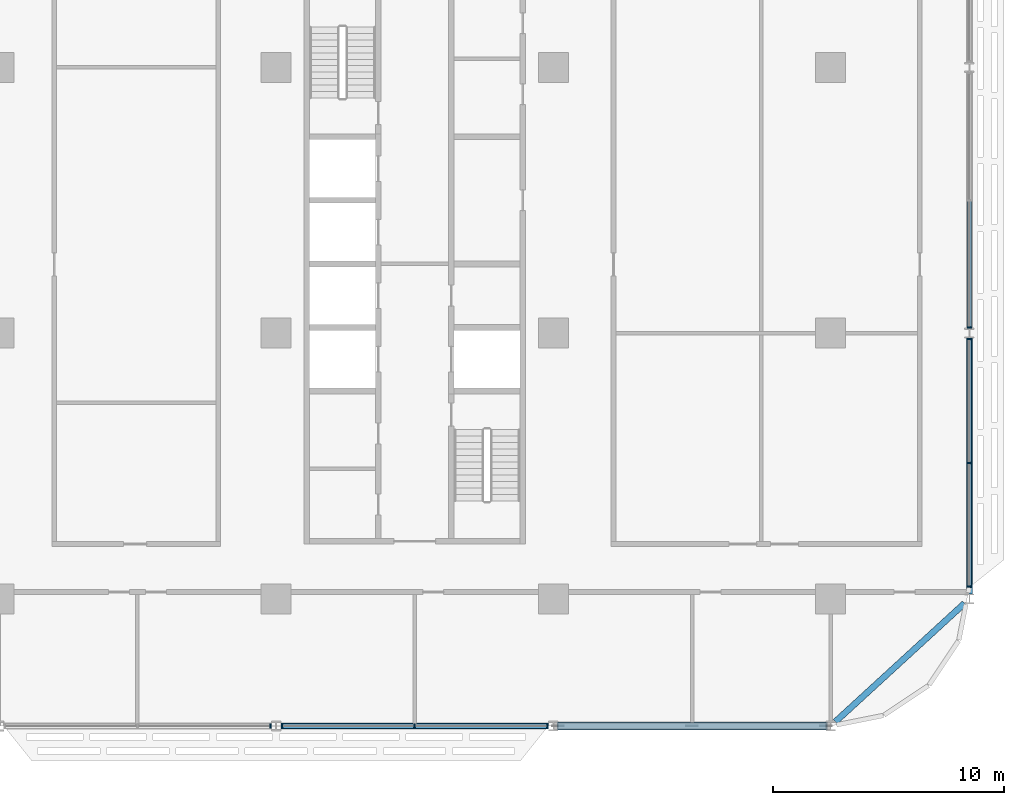
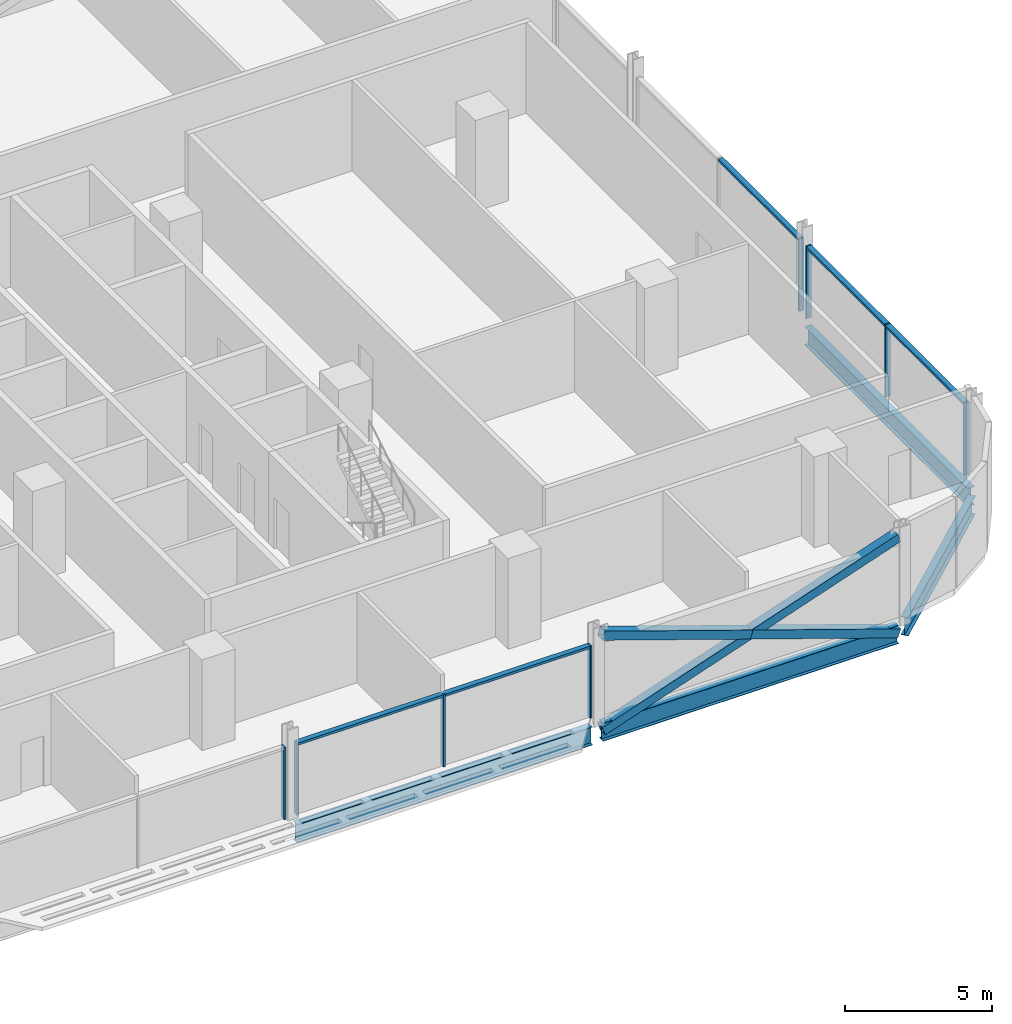
# One storey, part 8 of 28: 16 members, 4 beams, 4 elements without a shape of their own.
"""IFC4 building model written with IfcOpenShell, lengths in metres."""

import ifcopenshell
import ifcopenshell.guid

model = None  # the IFC model being written
_history = None  # IfcOwnerHistory: only IFC2X3 demands one
_inside = {}  # id of a spatial element -> (the spatial element, [elements in it])
_under = {}  # id of a project, library or spatial element -> (it, [spatial elements below it])
_declared = {}  # id of a project -> (the project, [libraries it declares])
_typed = {}  # id of a type object -> (the type object, [elements of that type])
_made_of = {}  # id of a material, layer set ... -> (it, [elements and type objects made of it])


def new_model(schema):
    """Start an empty IFC model of exactly this schema.

    Asked for "IFC4X3", IfcOpenShell would pick the latest addendum, in which some entities
    have other attributes; the version numbers below select the first issue.
    IFC2X3 requires an IfcOwnerHistory on every rooted entity: one is made here for all.
    """
    global model, _history
    if schema == "IFC4X3":
        model = ifcopenshell.file(schema_version=(4, 3, 0, 0))
    else:
        model = ifcopenshell.file(schema=schema)
    _inside.clear()
    _under.clear()
    _declared.clear()
    _typed.clear()
    _made_of.clear()
    _history = None
    if model.schema == "IFC2X3":
        org = make("IfcOrganization", Name="unknown")
        user = make(
            "IfcPersonAndOrganization",
            ThePerson=make("IfcPerson", FamilyName="unknown"),
            TheOrganization=org,
        )
        app = make(
            "IfcApplication",
            ApplicationDeveloper=org,
            Version="unknown",
            ApplicationFullName="unknown",
            ApplicationIdentifier="unknown",
        )
        _history = make(
            "IfcOwnerHistory",
            OwningUser=user,
            OwningApplication=app,
            ChangeAction="ADDED",
            CreationDate=0,
        )
    return model


def make(cls, **values):
    """One entity of the class cls with the attributes given. An attribute that is None is left unset."""
    return model.create_entity(
        cls, **{name: value for name, value in values.items() if value is not None}
    )


def rooted(cls, **values):
    """An entity with a GlobalId (a new one), such as an element, a storey or a relation."""
    return make(cls, GlobalId=ifcopenshell.guid.new(), OwnerHistory=_history, **values)


def si_unit(unit_type, name, prefix=None):
    """IfcSIUnit, for example si_unit("LENGTHUNIT", "METRE", prefix="MILLI")."""
    return make("IfcSIUnit", UnitType=unit_type, Prefix=prefix, Name=name)


def assignment(units):
    """IfcUnitAssignment: the units of a project."""
    return None if units is None else make("IfcUnitAssignment", Units=units)


def point(xyz):
    """IfcCartesianPoint."""
    return None if xyz is None else make("IfcCartesianPoint", Coordinates=xyz)


def direction(xyz):
    """IfcDirection."""
    return None if xyz is None else make("IfcDirection", DirectionRatios=xyz)


def frame(location, z_axis=None, x_axis=None):
    """IfcAxis2Placement3D, a coordinate frame: its origin and axes. An axis left out is left unset."""
    return make(
        "IfcAxis2Placement3D",
        Location=point(location),
        Axis=direction(z_axis),
        RefDirection=direction(x_axis),
    )


def frame_2d(location, x_axis=None):
    """IfcAxis2Placement2D, a coordinate frame in the plane: its origin and x axis."""
    return make(
        "IfcAxis2Placement2D", Location=point(location), RefDirection=direction(x_axis)
    )


def origin():
    """The frame at (0, 0, 0) with its axes left unset."""
    return frame((0.0, 0.0, 0.0))


def origin_2d():
    """The frame at (0, 0) in the plane with its x axis left unset."""
    return frame_2d((0.0, 0.0))


def place(relative_to, where):
    """IfcLocalPlacement: puts the frame where relative to a parent placement (None: the world)."""
    return make(
        "IfcLocalPlacement", PlacementRelTo=relative_to, RelativePlacement=where
    )


def context(
    kind, dimensions, precision=None, world=None, true_north=None, identifier=None
):
    """IfcGeometricRepresentationContext, for example the 3D "Model" context."""
    return make(
        "IfcGeometricRepresentationContext",
        ContextIdentifier=identifier,
        ContextType=kind,
        CoordinateSpaceDimension=dimensions,
        Precision=precision,
        WorldCoordinateSystem=world,
        TrueNorth=true_north,
    )


def subcontext(parent, identifier, kind, view, scale=None):
    """IfcGeometricRepresentationSubContext, for example "Body" below "Model"."""
    return make(
        "IfcGeometricRepresentationSubContext",
        ContextIdentifier=identifier,
        ContextType=kind,
        ParentContext=parent,
        TargetScale=scale,
        TargetView=view,
    )


def project(units=None, contexts=None):
    """IfcProject with its units and contexts."""
    return rooted(
        "IfcProject",
        Name="project",
        RepresentationContexts=contexts,
        UnitsInContext=assignment(units),
    )


def spatial(cls, under=None, at=None, **own):
    """A site, building, storey or space (cls), placed at a placement, below another one or the project."""
    s = rooted(cls, ObjectPlacement=at, **own)
    if under is not None:
        _under.setdefault(under.id(), (under, []))[1].append(s)
    return s


def profile(cls, at=None, kind="AREA", **sizes):
    """A parametric profile (cls). Its sizes go by their IFC names, for example OverallWidth=200.0."""
    return make(cls, ProfileType=kind, Position=at, **sizes)


def rectangle(**sizes):
    """IfcRectangleProfileDef."""
    return profile("IfcRectangleProfileDef", **sizes)


def hollow_rectangle(**sizes):
    """IfcRectangleHollowProfileDef."""
    return profile("IfcRectangleHollowProfileDef", **sizes)


def i_section(**sizes):
    """IfcIShapeProfileDef."""
    return profile("IfcIShapeProfileDef", **sizes)


def extrude(swept, where, along, depth):
    """IfcExtrudedAreaSolid: the profile swept, set in the frame where, extruded along a direction by depth."""
    return make(
        "IfcExtrudedAreaSolid",
        SweptArea=swept,
        Position=where,
        ExtrudedDirection=direction(along),
        Depth=depth,
    )


def shape(context_of_items, identifier, shape_type, items):
    """IfcShapeRepresentation: the items that make up one representation, for example the "Body"."""
    return make(
        "IfcShapeRepresentation",
        ContextOfItems=context_of_items,
        RepresentationIdentifier=identifier,
        RepresentationType=shape_type,
        Items=items,
    )


def material(Name=None, Category=None):
    """IfcMaterial."""
    return make("IfcMaterial", Name=Name, Category=Category)


def material_profile(
    of_material, cross_section, Name=None, Category=None, Priority=None
):
    """IfcMaterialProfile: a cross section and its material."""
    return make(
        "IfcMaterialProfile",
        Name=Name,
        Material=of_material,
        Profile=cross_section,
        Priority=Priority,
        Category=Category,
    )


def profile_set(profiles, Name=None, composite=None):
    """IfcMaterialProfileSet."""
    return make(
        "IfcMaterialProfileSet",
        Name=Name,
        MaterialProfiles=profiles,
        CompositeProfile=composite,
    )


def made_of(thing, what):
    """Note that an element or type object is made of a material, layer set ...; save() writes the relation."""
    if what is not None:
        _made_of.setdefault(what.id(), (what, []))[1].append(thing)
    return thing


def type_object(cls, material=None, **own):
    """A type object (cls), such as IfcWallType, which elements share."""
    return made_of(rooted(cls, **own), material)


def element(
    cls,
    number,
    at=None,
    inside=None,
    cuts=None,
    type_object=None,
    material=None,
    context=None,
    identifier="Body",
    shape_type=None,
    held_by="IfcProductDefinitionShape",
    body=None,
    shapes=None,
    **own,
):
    """One element of the class cls, such as IfcWall. Its Tag is "e" and its number.

    at: its placement. inside: the storey or other place that contains it. cuts: it is an
    opening in that element (IfcRelVoidsElement). A single representation is given by context,
    identifier, shape_type and body (its items); several are given by shapes. held_by: the class
    of the entity that holds the representations. save() writes the other relations.
    """
    e = rooted(cls, Tag="e%d" % number, ObjectPlacement=at, **own)
    if body is not None:
        shapes = [shape(context, identifier, shape_type, body)]
    if shapes is not None:
        e.Representation = make(held_by, Representations=shapes)
    if inside is not None:
        _inside.setdefault(inside.id(), (inside, []))[1].append(e)
    if cuts is not None:
        rooted(
            "IfcRelVoidsElement", RelatingBuildingElement=cuts, RelatedOpeningElement=e
        )
    if type_object is not None:
        _typed.setdefault(type_object.id(), (type_object, []))[1].append(e)
    return made_of(e, material)


def aggregate(whole, parts):
    """IfcRelAggregates: a whole, such as a stair, and the parts it consists of."""
    return rooted("IfcRelAggregates", RelatingObject=whole, RelatedObjects=parts)


def save(model, path):
    """Write the relations noted so far, then the file.

    IfcRelAggregates (storeys below a building ...), IfcRelContainedInSpatialStructure (elements
    in a storey), IfcRelDefinesByType, IfcRelAssociatesMaterial and IfcRelDeclares: one each for
    every whole, place, type object, material and project.
    """
    for whole, parts in _under.values():
        aggregate(whole, parts)
    for where, things in _inside.values():
        rooted(
            "IfcRelContainedInSpatialStructure",
            RelatedElements=things,
            RelatingStructure=where,
        )
    for kind, things in _typed.values():
        rooted("IfcRelDefinesByType", RelatedObjects=things, RelatingType=kind)
    for what, things in _made_of.values():
        rooted("IfcRelAssociatesMaterial", RelatedObjects=things, RelatingMaterial=what)
    for by, libraries in _declared.values():
        rooted("IfcRelDeclares", RelatingContext=by, RelatedDefinitions=libraries)
    model.write(path)


model = new_model("IFC4")

# Units and contexts
model_context = context("Model", 3, precision=1e-05, world=origin(), true_north=direction((0.0, 1.0)))
body_context = subcontext(model_context, "Body", "Model", "MODEL_VIEW")
ifc_project = project(units=[si_unit("LENGTHUNIT", "METRE"), si_unit("AREAUNIT", "SQUARE_METRE"), si_unit("VOLUMEUNIT", "CUBIC_METRE"), si_unit("PLANEANGLEUNIT", "RADIAN"), si_unit("MASSUNIT", "GRAM", prefix="KILO")], contexts=[model_context])

# Site, building, storey
site_placement = place(None, origin())
site = spatial("IfcSite", under=ifc_project, at=site_placement, CompositionType="ELEMENT")
building_placement = place(site_placement, origin())
building = spatial("IfcBuilding", under=site, at=building_placement, Name="Mahtab Terrace Research Tower", CompositionType="ELEMENT")
storey_placement = place(building_placement, frame((0.0, 0.0, 134.300048828125)))
storey = spatial("IfcBuildingStorey", under=building, at=storey_placement, Name="L31", CompositionType="ELEMENT", Elevation=134.300048828125)

# Members
ifc_material_1 = material(Name="Steel ASTM A500 Gr C", Category="steel")
ifc_material_profile_1 = material_profile(ifc_material_1, hollow_rectangle(XDim=0.355712890625, YDim=0.355712890625, WallThickness=0.01904296875, at=origin_2d()), Name="HSS14X14X3/4")
ifc_profile_set_1 = profile_set([ifc_material_profile_1], Name="Steel ASTM A500 Gr C")
member_type_1 = type_object("IfcMemberType", Name="HSS 14x14x3/4 brace XB141434", PredefinedType="BRACE", material=ifc_profile_set_1)
member_1_placement = place(storey_placement, frame((30.205810546875, -17.0, -0.648193359375), z_axis=(0.946288278, 0.0, 0.323324132908), x_axis=(0.0, 1.0, 0.0)))
element("IfcMember", 1, at=member_1_placement, inside=storey, type_object=member_type_1, Name="Exoskeleton brace L31 20 a", PredefinedType="BRACE", context=body_context, shape_type="SweptSolid", body=[
    extrude(hollow_rectangle(XDim=0.355712890625, YDim=0.355712890625, WallThickness=0.01904296875, at=origin_2d()), origin(), (0.0, 0.0, 1.0), 12.24609375),
])
for number, where, z_axis, x_axis, name in (
    (2, (41.794189453125, -17.0, -0.648193359375), (-0.946288278, 0.0, 0.323324132908), (0.0, -1.0, 0.0), "Exoskeleton brace L31 20 b1"),
    (3, (36.0, -17.0, 1.33154296875), (-0.946288278, 0.0, 0.323324132908), (0.0, -1.0, 0.0), "Exoskeleton brace L31 20 b2"),
):
    element("IfcMember", number, at=place(storey_placement, frame(where, z_axis=z_axis, x_axis=x_axis)), inside=storey, type_object=member_type_1, Name=name, PredefinedType="BRACE", context=body_context, shape_type="SweptSolid", body=[
        extrude(hollow_rectangle(XDim=0.355712890625, YDim=0.355712890625, WallThickness=0.01904296875, at=origin_2d()), origin(), (0.0, 0.0, 1.0), 6.123046875),
    ])

# Curtain wall, member
ifc_material_2 = material(Name="Laboratory ribbon curtain wall")
curtain_wall_type = type_object("IfcCurtainWallType", Name="Laboratory ribbon curtain wall", PredefinedType="NOTDEFINED", material=ifc_material_2)
curtain_wall_1_placement = place(storey_placement, origin())
curtain_wall_1 = element("IfcCurtainWall", 4, at=curtain_wall_1_placement, inside=storey, type_object=curtain_wall_type, Name="EN.L31.13.28", PredefinedType="NOTDEFINED")
ifc_material_3 = material(Name="Natural anodised aluminium", Category="aluminium")
ifc_material_profile_2 = material_profile(ifc_material_3, rectangle(XDim=0.199951171875, YDim=0.06494140625, at=origin_2d()), Name="MULLION 65x200")
ifc_profile_set_2 = profile_set([ifc_material_profile_2], Name="Natural anodised aluminium")
member_type_2 = type_object("IfcMemberType", Name="Laboratory ribbon curtain wall mullion", PredefinedType="MULLION", material=ifc_profile_set_2)
member_2_placement = place(storey_placement, frame((17.74951171875, -17.0, 0.0), z_axis=(0.0, 0.0, 1.0), x_axis=(0.0, 1.0, 0.0)))
member_2 = element("IfcMember", 5, at=member_2_placement, type_object=member_type_2, Name="CWL-4 mullion 3", PredefinedType="MULLION", context=body_context, shape_type="SweptSolid", body=[
    extrude(rectangle(XDim=0.199951171875, YDim=0.06494140625, at=origin_2d()), origin(), (0.0, 0.0, 1.0), 3.0029296875),
])
aggregate(curtain_wall_1, [member_2])

# Curtain wall, members
curtain_wall_2_placement = place(storey_placement, origin())
curtain_wall_2 = element("IfcCurtainWall", 6, at=curtain_wall_2_placement, inside=storey, type_object=curtain_wall_type, Name="EN.L31.13.29", PredefinedType="NOTDEFINED")
member_3_placement = place(storey_placement, frame((18.25048828125, -17.0, 0.0), z_axis=(0.0, 0.0, 1.0), x_axis=(0.0, 1.0, 0.0)))
member_3 = element("IfcMember", 7, at=member_3_placement, type_object=member_type_2, Name="CWL-4 mullion 1", PredefinedType="MULLION", context=body_context, shape_type="SweptSolid", body=[
    extrude(rectangle(XDim=0.199951171875, YDim=0.06494140625, at=origin_2d()), origin(), (0.0, 0.0, 1.0), 3.0029296875),
])
member_4_placement = place(storey_placement, frame((24.0, -17.0, 0.0), z_axis=(0.0, 0.0, 1.0), x_axis=(0.0, 1.0, 0.0)))
member_4 = element("IfcMember", 8, at=member_4_placement, type_object=member_type_2, Name="CWL-4 mullion 2", PredefinedType="MULLION", context=body_context, shape_type="SweptSolid", body=[
    extrude(rectangle(XDim=0.199951171875, YDim=0.06494140625, at=origin_2d()), origin(), (0.0, 0.0, 1.0), 3.0029296875),
])
member_5_placement = place(storey_placement, frame((29.74951171875, -17.0, 0.0), z_axis=(0.0, 0.0, 1.0), x_axis=(0.0, 1.0, 0.0)))
member_5 = element("IfcMember", 9, at=member_5_placement, type_object=member_type_2, Name="CWL-4 mullion 3", PredefinedType="MULLION", context=body_context, shape_type="SweptSolid", body=[
    extrude(rectangle(XDim=0.199951171875, YDim=0.06494140625, at=origin_2d()), origin(), (0.0, 0.0, 1.0), 3.0029296875),
])

curtain_wall_3_placement = place(storey_placement, origin())
curtain_wall_3 = element("IfcCurtainWall", 10, at=curtain_wall_3_placement, inside=storey, type_object=curtain_wall_type, Name="EN.L31.18.36", PredefinedType="NOTDEFINED")
member_6_placement = place(storey_placement, frame((48.0, -10.967529296875, 0.0), z_axis=(0.0, 0.0, 1.0), x_axis=(-1.0, 0.0, 0.0)))
member_6 = element("IfcMember", 11, at=member_6_placement, type_object=member_type_2, Name="CWL-4 mullion 1", PredefinedType="MULLION", context=body_context, shape_type="SweptSolid", body=[
    extrude(rectangle(XDim=0.199951171875, YDim=0.06494140625, at=origin_2d()), origin(), (0.0, 0.0, 1.0), 3.0029296875),
])
member_7_placement = place(storey_placement, frame((48.0, -5.60888671875, 0.0), z_axis=(0.0, 0.0, 1.0), x_axis=(-1.0, 0.0, 0.0)))
member_7 = element("IfcMember", 12, at=member_7_placement, type_object=member_type_2, Name="CWL-4 mullion 2", PredefinedType="MULLION", context=body_context, shape_type="SweptSolid", body=[
    extrude(rectangle(XDim=0.199951171875, YDim=0.06494140625, at=origin_2d()), origin(), (0.0, 0.0, 1.0), 3.0029296875),
])
member_8_placement = place(storey_placement, frame((48.0, -0.25048828125, 0.0), z_axis=(0.0, 0.0, 1.0), x_axis=(-1.0, 0.0, 0.0)))
member_8 = element("IfcMember", 13, at=member_8_placement, type_object=member_type_2, Name="CWL-4 mullion 3", PredefinedType="MULLION", context=body_context, shape_type="SweptSolid", body=[
    extrude(rectangle(XDim=0.199951171875, YDim=0.06494140625, at=origin_2d()), origin(), (0.0, 0.0, 1.0), 3.0029296875),
])

# Curtain wall, member
curtain_wall_4_placement = place(storey_placement, origin())
curtain_wall_4 = element("IfcCurtainWall", 14, at=curtain_wall_4_placement, inside=storey, type_object=curtain_wall_type, Name="EN.L31.18.37", PredefinedType="NOTDEFINED")
member_9_placement = place(storey_placement, frame((48.0, 0.25048828125, 0.0), z_axis=(0.0, 0.0, 1.0), x_axis=(-1.0, 0.0, 0.0)))
member_9 = element("IfcMember", 15, at=member_9_placement, type_object=member_type_2, Name="CWL-4 mullion 1", PredefinedType="MULLION", context=body_context, shape_type="SweptSolid", body=[
    extrude(rectangle(XDim=0.199951171875, YDim=0.06494140625, at=origin_2d()), origin(), (0.0, 0.0, 1.0), 3.0029296875),
])

# Member
ifc_material_profile_3 = material_profile(ifc_material_3, rectangle(XDim=0.199951171875, YDim=0.10009765625, at=origin_2d()), Name="TRANSOM 100x200")
ifc_profile_set_3 = profile_set([ifc_material_profile_3], Name="Natural anodised aluminium")
member_type_3 = type_object("IfcMemberType", Name="Laboratory ribbon curtain wall transom", PredefinedType="USERDEFINED", material=ifc_profile_set_3)
member_10_placement = place(storey_placement, frame((18.282958984375, -17.0, 2.953125), z_axis=(1.0, 0.0, 0.0), x_axis=(0.0, 1.0, 0.0)))
member_10 = element("IfcMember", 16, at=member_10_placement, type_object=member_type_3, Name="CWL-4 transom 1", ObjectType="TRANSOM", PredefinedType="USERDEFINED", context=body_context, shape_type="SweptSolid", body=[
    extrude(rectangle(XDim=0.199951171875, YDim=0.10009765625, at=origin_2d()), origin(), (0.0, 0.0, 1.0), 5.6845703125),
])

member_11_placement = place(storey_placement, frame((24.032470703125, -17.0, 2.953125), z_axis=(1.0, 0.0, 0.0), x_axis=(0.0, 1.0, 0.0)))
member_11 = element("IfcMember", 17, at=member_11_placement, type_object=member_type_3, Name="CWL-4 transom 2", ObjectType="TRANSOM", PredefinedType="USERDEFINED", context=body_context, shape_type="SweptSolid", body=[
    extrude(rectangle(XDim=0.199951171875, YDim=0.10009765625, at=origin_2d()), origin(), (0.0, 0.0, 1.0), 5.6845703125),
])

aggregate(curtain_wall_2, [member_3, member_4, member_5, member_10, member_11])

member_12_placement = place(storey_placement, frame((48.0, -10.93505859375, 2.953125), z_axis=(0.0, 1.0, 0.0), x_axis=(-1.0, 0.0, 0.0)))
member_12 = element("IfcMember", 18, at=member_12_placement, type_object=member_type_3, Name="CWL-4 transom 1", ObjectType="TRANSOM", PredefinedType="USERDEFINED", context=body_context, shape_type="SweptSolid", body=[
    extrude(rectangle(XDim=0.199951171875, YDim=0.10009765625, at=origin_2d()), origin(), (0.0, 0.0, 1.0), 5.29345703125),
])

member_13_placement = place(storey_placement, frame((48.0, -5.576416015625, 2.953125), z_axis=(0.0, 1.0, 0.0), x_axis=(-1.0, 0.0, 0.0)))
member_13 = element("IfcMember", 19, at=member_13_placement, type_object=member_type_3, Name="CWL-4 transom 2", ObjectType="TRANSOM", PredefinedType="USERDEFINED", context=body_context, shape_type="SweptSolid", body=[
    extrude(rectangle(XDim=0.199951171875, YDim=0.10009765625, at=origin_2d()), origin(), (0.0, 0.0, 1.0), 5.29345703125),
])

aggregate(curtain_wall_3, [member_6, member_7, member_8, member_12, member_13])

member_14_placement = place(storey_placement, frame((48.0, 0.282958984375, 2.953125), z_axis=(0.0, 1.0, 0.0), x_axis=(-1.0, 0.0, 0.0)))
member_14 = element("IfcMember", 20, at=member_14_placement, type_object=member_type_3, Name="CWL-4 transom 1", ObjectType="TRANSOM", PredefinedType="USERDEFINED", context=body_context, shape_type="SweptSolid", body=[
    extrude(rectangle(XDim=0.199951171875, YDim=0.10009765625, at=origin_2d()), origin(), (0.0, 0.0, 1.0), 5.4345703125),
])

aggregate(curtain_wall_4, [member_9, member_14])

# Beams
ifc_material_4 = material(Name="Steel ASTM A992 Gr 50", Category="steel")
ifc_material_profile_4 = material_profile(ifc_material_4, i_section(OverallWidth=0.2666015625, OverallDepth=0.7568359375, WebThickness=0.013916015625, FlangeThickness=0.019287109375, at=origin_2d()), Name="W30X108")
ifc_profile_set_4 = profile_set([ifc_material_profile_4], Name="Steel ASTM A992 Gr 50")
beam_type = type_object("IfcBeamType", Name="W30x108 beam BS30108", PredefinedType="BEAM", material=ifc_profile_set_4)
for number, where, z_axis, x_axis, name in (
    (21, (18.205810546875, -17.0, -0.718505859375), (1.0, 0.0, 0.0), (0.0, 1.0, 0.0), "Spandrel beam L31 19"),
    (22, (30.205810546875, -17.0, -0.718505859375), (1.0, 0.0, 0.0), (0.0, 1.0, 0.0), "Spandrel beam L31 20"),
):
    element("IfcBeam", number, at=place(storey_placement, frame(where, z_axis=z_axis, x_axis=x_axis)), inside=storey, type_object=beam_type, Name=name, PredefinedType="BEAM", context=body_context, shape_type="SweptSolid", body=[
        extrude(i_section(OverallWidth=0.2666015625, OverallDepth=0.7568359375, WebThickness=0.013916015625, FlangeThickness=0.019287109375, at=origin_2d()), origin(), (0.0, 0.0, 1.0), 11.58837890625),
    ])
beam_1_placement = place(storey_placement, frame((42.205810546875, -16.811279296875, -0.718505859375), z_axis=(0.737162160905, 0.675715878554, 0.0), x_axis=(-0.675715878554, 0.737162160905, 0.0)))
element("IfcBeam", 23, at=beam_1_placement, inside=storey, type_object=beam_type, Name="Spandrel beam L31 21", PredefinedType="BEAM", context=body_context, shape_type="SweptSolid", body=[
    extrude(i_section(OverallWidth=0.2666015625, OverallDepth=0.7568359375, WebThickness=0.013916015625, FlangeThickness=0.019287109375, at=origin_2d()), origin(), (0.0, 0.0, 1.0), 7.5810546875),
])
beam_2_placement = place(storey_placement, frame((48.0, -11.282958984375, -0.718505859375), z_axis=(0.0, 1.0, 0.0), x_axis=(-1.0, 0.0, 0.0)))
element("IfcBeam", 24, at=beam_2_placement, inside=storey, type_object=beam_type, Name="Spandrel beam L31 22", PredefinedType="BEAM", context=body_context, shape_type="SweptSolid", body=[
    extrude(i_section(OverallWidth=0.2666015625, OverallDepth=0.7568359375, WebThickness=0.013916015625, FlangeThickness=0.019287109375, at=origin_2d()), origin(), (0.0, 0.0, 1.0), 11.06591796875),
])

save(model, "model.ifc")
